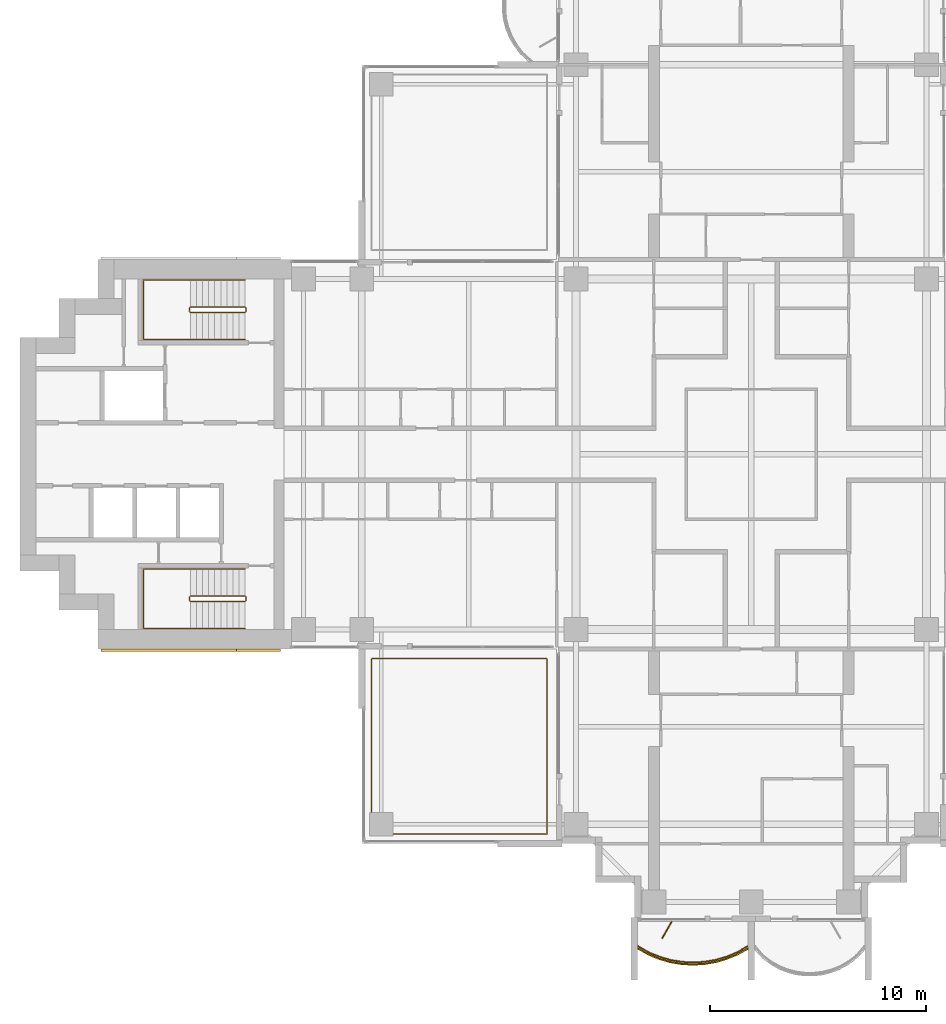
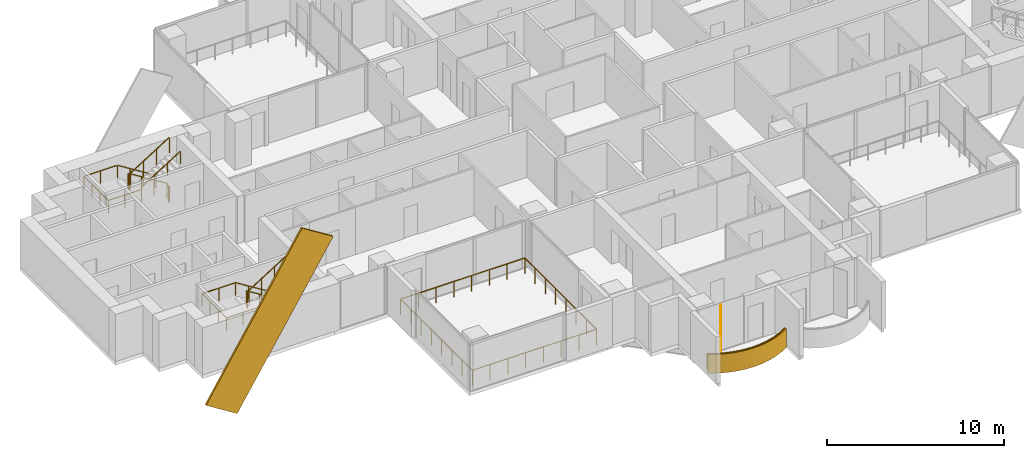
# One storey, part 16 of 19: 6 railings, 2 coverings, 1 shading device.
"""IFC4 building model written with IfcOpenShell, lengths in metres."""

import ifcopenshell
import ifcopenshell.guid

model = None  # the IFC model being written
_history = None  # IfcOwnerHistory: only IFC2X3 demands one
_inside = {}  # id of a spatial element -> (the spatial element, [elements in it])
_under = {}  # id of a project, library or spatial element -> (it, [spatial elements below it])
_declared = {}  # id of a project -> (the project, [libraries it declares])
_typed = {}  # id of a type object -> (the type object, [elements of that type])
_made_of = {}  # id of a material, layer set ... -> (it, [elements and type objects made of it])


def new_model(schema):
    """Start an empty IFC model of exactly this schema.

    Asked for "IFC4X3", IfcOpenShell would pick the latest addendum, in which some entities
    have other attributes; the version numbers below select the first issue.
    IFC2X3 requires an IfcOwnerHistory on every rooted entity: one is made here for all.
    """
    global model, _history
    if schema == "IFC4X3":
        model = ifcopenshell.file(schema_version=(4, 3, 0, 0))
    else:
        model = ifcopenshell.file(schema=schema)
    _inside.clear()
    _under.clear()
    _declared.clear()
    _typed.clear()
    _made_of.clear()
    _history = None
    if model.schema == "IFC2X3":
        org = make("IfcOrganization", Name="unknown")
        user = make(
            "IfcPersonAndOrganization",
            ThePerson=make("IfcPerson", FamilyName="unknown"),
            TheOrganization=org,
        )
        app = make(
            "IfcApplication",
            ApplicationDeveloper=org,
            Version="unknown",
            ApplicationFullName="unknown",
            ApplicationIdentifier="unknown",
        )
        _history = make(
            "IfcOwnerHistory",
            OwningUser=user,
            OwningApplication=app,
            ChangeAction="ADDED",
            CreationDate=0,
        )
    return model


def make(cls, **values):
    """One entity of the class cls with the attributes given. An attribute that is None is left unset."""
    return model.create_entity(
        cls, **{name: value for name, value in values.items() if value is not None}
    )


def rooted(cls, **values):
    """An entity with a GlobalId (a new one), such as an element, a storey or a relation."""
    return make(cls, GlobalId=ifcopenshell.guid.new(), OwnerHistory=_history, **values)


def si_unit(unit_type, name, prefix=None):
    """IfcSIUnit, for example si_unit("LENGTHUNIT", "METRE", prefix="MILLI")."""
    return make("IfcSIUnit", UnitType=unit_type, Prefix=prefix, Name=name)


def assignment(units):
    """IfcUnitAssignment: the units of a project."""
    return None if units is None else make("IfcUnitAssignment", Units=units)


def point(xyz):
    """IfcCartesianPoint."""
    return None if xyz is None else make("IfcCartesianPoint", Coordinates=xyz)


def direction(xyz):
    """IfcDirection."""
    return None if xyz is None else make("IfcDirection", DirectionRatios=xyz)


def frame(location, z_axis=None, x_axis=None):
    """IfcAxis2Placement3D, a coordinate frame: its origin and axes. An axis left out is left unset."""
    return make(
        "IfcAxis2Placement3D",
        Location=point(location),
        Axis=direction(z_axis),
        RefDirection=direction(x_axis),
    )


def frame_2d(location, x_axis=None):
    """IfcAxis2Placement2D, a coordinate frame in the plane: its origin and x axis."""
    return make(
        "IfcAxis2Placement2D", Location=point(location), RefDirection=direction(x_axis)
    )


def origin():
    """The frame at (0, 0, 0) with its axes left unset."""
    return frame((0.0, 0.0, 0.0))


def origin_2d():
    """The frame at (0, 0) in the plane with its x axis left unset."""
    return frame_2d((0.0, 0.0))


def place(relative_to, where):
    """IfcLocalPlacement: puts the frame where relative to a parent placement (None: the world)."""
    return make(
        "IfcLocalPlacement", PlacementRelTo=relative_to, RelativePlacement=where
    )


def context(
    kind, dimensions, precision=None, world=None, true_north=None, identifier=None
):
    """IfcGeometricRepresentationContext, for example the 3D "Model" context."""
    return make(
        "IfcGeometricRepresentationContext",
        ContextIdentifier=identifier,
        ContextType=kind,
        CoordinateSpaceDimension=dimensions,
        Precision=precision,
        WorldCoordinateSystem=world,
        TrueNorth=true_north,
    )


def subcontext(parent, identifier, kind, view, scale=None):
    """IfcGeometricRepresentationSubContext, for example "Body" below "Model"."""
    return make(
        "IfcGeometricRepresentationSubContext",
        ContextIdentifier=identifier,
        ContextType=kind,
        ParentContext=parent,
        TargetScale=scale,
        TargetView=view,
    )


def project(units=None, contexts=None):
    """IfcProject with its units and contexts."""
    return rooted(
        "IfcProject",
        Name="project",
        RepresentationContexts=contexts,
        UnitsInContext=assignment(units),
    )


def spatial(cls, under=None, at=None, **own):
    """A site, building, storey or space (cls), placed at a placement, below another one or the project."""
    s = rooted(cls, ObjectPlacement=at, **own)
    if under is not None:
        _under.setdefault(under.id(), (under, []))[1].append(s)
    return s


def polyline(points):
    """IfcPolyline through the points."""
    return make("IfcPolyline", Points=[point(p) for p in points])


def profile(cls, at=None, kind="AREA", **sizes):
    """A parametric profile (cls). Its sizes go by their IFC names, for example OverallWidth=200.0."""
    return make(cls, ProfileType=kind, Position=at, **sizes)


def rectangle(**sizes):
    """IfcRectangleProfileDef."""
    return profile("IfcRectangleProfileDef", **sizes)


def outline(outer, holes=None, kind="AREA"):
    """IfcArbitraryClosedProfileDef: a profile drawn as a closed curve; with holes, ...WithVoids."""
    if holes is None:
        return make("IfcArbitraryClosedProfileDef", ProfileType=kind, OuterCurve=outer)
    return make(
        "IfcArbitraryProfileDefWithVoids",
        ProfileType=kind,
        OuterCurve=outer,
        InnerCurves=holes,
    )


def extrude(swept, where, along, depth):
    """IfcExtrudedAreaSolid: the profile swept, set in the frame where, extruded along a direction by depth."""
    return make(
        "IfcExtrudedAreaSolid",
        SweptArea=swept,
        Position=where,
        ExtrudedDirection=direction(along),
        Depth=depth,
    )


def shape(context_of_items, identifier, shape_type, items):
    """IfcShapeRepresentation: the items that make up one representation, for example the "Body"."""
    return make(
        "IfcShapeRepresentation",
        ContextOfItems=context_of_items,
        RepresentationIdentifier=identifier,
        RepresentationType=shape_type,
        Items=items,
    )


def material(Name=None, Category=None):
    """IfcMaterial."""
    return make("IfcMaterial", Name=Name, Category=Category)


def layer(
    of_material, thickness, ventilated=None, Name=None, Category=None, Priority=None
):
    """IfcMaterialLayer: one layer of a wall or slab, of a material (None: an air gap)."""
    return make(
        "IfcMaterialLayer",
        Material=of_material,
        LayerThickness=thickness,
        IsVentilated=ventilated,
        Name=Name,
        Category=Category,
        Priority=Priority,
    )


def layer_set(layers, Name=None):
    """IfcMaterialLayerSet."""
    return make("IfcMaterialLayerSet", MaterialLayers=layers, LayerSetName=Name)


def material_profile(
    of_material, cross_section, Name=None, Category=None, Priority=None
):
    """IfcMaterialProfile: a cross section and its material."""
    return make(
        "IfcMaterialProfile",
        Name=Name,
        Material=of_material,
        Profile=cross_section,
        Priority=Priority,
        Category=Category,
    )


def profile_set(profiles, Name=None, composite=None):
    """IfcMaterialProfileSet."""
    return make(
        "IfcMaterialProfileSet",
        Name=Name,
        MaterialProfiles=profiles,
        CompositeProfile=composite,
    )


def made_of(thing, what):
    """Note that an element or type object is made of a material, layer set ...; save() writes the relation."""
    if what is not None:
        _made_of.setdefault(what.id(), (what, []))[1].append(thing)
    return thing


def type_object(cls, material=None, **own):
    """A type object (cls), such as IfcWallType, which elements share."""
    return made_of(rooted(cls, **own), material)


def element(
    cls,
    number,
    at=None,
    inside=None,
    cuts=None,
    type_object=None,
    material=None,
    context=None,
    identifier="Body",
    shape_type=None,
    held_by="IfcProductDefinitionShape",
    body=None,
    shapes=None,
    **own,
):
    """One element of the class cls, such as IfcWall. Its Tag is "e" and its number.

    at: its placement. inside: the storey or other place that contains it. cuts: it is an
    opening in that element (IfcRelVoidsElement). A single representation is given by context,
    identifier, shape_type and body (its items); several are given by shapes. held_by: the class
    of the entity that holds the representations. save() writes the other relations.
    """
    e = rooted(cls, Tag="e%d" % number, ObjectPlacement=at, **own)
    if body is not None:
        shapes = [shape(context, identifier, shape_type, body)]
    if shapes is not None:
        e.Representation = make(held_by, Representations=shapes)
    if inside is not None:
        _inside.setdefault(inside.id(), (inside, []))[1].append(e)
    if cuts is not None:
        rooted(
            "IfcRelVoidsElement", RelatingBuildingElement=cuts, RelatedOpeningElement=e
        )
    if type_object is not None:
        _typed.setdefault(type_object.id(), (type_object, []))[1].append(e)
    return made_of(e, material)


def aggregate(whole, parts):
    """IfcRelAggregates: a whole, such as a stair, and the parts it consists of."""
    return rooted("IfcRelAggregates", RelatingObject=whole, RelatedObjects=parts)


def save(model, path):
    """Write the relations noted so far, then the file.

    IfcRelAggregates (storeys below a building ...), IfcRelContainedInSpatialStructure (elements
    in a storey), IfcRelDefinesByType, IfcRelAssociatesMaterial and IfcRelDeclares: one each for
    every whole, place, type object, material and project.
    """
    for whole, parts in _under.values():
        aggregate(whole, parts)
    for where, things in _inside.values():
        rooted(
            "IfcRelContainedInSpatialStructure",
            RelatedElements=things,
            RelatingStructure=where,
        )
    for kind, things in _typed.values():
        rooted("IfcRelDefinesByType", RelatedObjects=things, RelatingType=kind)
    for what, things in _made_of.values():
        rooted("IfcRelAssociatesMaterial", RelatedObjects=things, RelatingMaterial=what)
    for by, libraries in _declared.values():
        rooted("IfcRelDeclares", RelatingContext=by, RelatedDefinitions=libraries)
    model.write(path)


model = new_model("IFC4")

# Units and contexts
model_context = context("Model", 3, precision=1e-05, world=origin(), true_north=direction((0.0, 1.0)))
body_context = subcontext(model_context, "Body", "Model", "MODEL_VIEW")
ifc_project = project(units=[si_unit("LENGTHUNIT", "METRE"), si_unit("AREAUNIT", "SQUARE_METRE"), si_unit("VOLUMEUNIT", "CUBIC_METRE"), si_unit("PLANEANGLEUNIT", "RADIAN"), si_unit("MASSUNIT", "GRAM", prefix="KILO")], contexts=[model_context])

# Site, building, storey
site_placement = place(None, origin())
site = spatial("IfcSite", under=ifc_project, at=site_placement, CompositionType="ELEMENT")
building_placement = place(site_placement, origin())
building = spatial("IfcBuilding", under=site, at=building_placement, Name="Perihelion Cross Residences", CompositionType="ELEMENT")
storey_placement = place(building_placement, frame((0.0, 0.0, 105.89990234375)))
storey = spatial("IfcBuildingStorey", under=building, at=storey_placement, Name="L24", CompositionType="ELEMENT", Elevation=105.89990234375)

# Covering
ifc_material_1 = material(Name="Bronze anodised aluminium", Category="aluminium")
ifc_layer_1 = layer(ifc_material_1, 0.070068359375)
ifc_layer_set_1 = layer_set([ifc_layer_1], Name="Balcony fascia 1300")
covering_type_1 = type_object("IfcCoveringType", Name="Balcony fascia 1300", PredefinedType="CLADDING", material=ifc_layer_set_1)
covering_1_placement = place(storey_placement, frame((0.0, 0.0, -0.199951171875)))
element("IfcCovering", 1, at=covering_1_placement, inside=storey, type_object=covering_type_1, Name="Fascia BF1 L24 south tip south bay 1", PredefinedType="CLADDING", context=body_context, shape_type="SweptSolid", body=[
    extrude(outline(polyline([(-4.7705078125, -23.1484375), (-4.2529296875, -23.36083984375), (-3.735107421875, -23.506591796875), (-3.217529296875, -23.591796875), (-2.699951171875, -23.6201171875), (-2.182373046875, -23.591796875), (-1.664794921875, -23.506591796875), (-1.147216796875, -23.36083984375), (-0.629638671875, -23.1484375), (-0.14990234375, -22.880126953125), (-0.14990234375, -22.800048828125), (-0.659912109375, -23.085205078125), (-1.169921875, -23.294677734375), (-1.679931640625, -23.438232421875), (-2.18994140625, -23.522216796875), (-2.699951171875, -23.550048828125), (-3.2099609375, -23.522216796875), (-3.719970703125, -23.438232421875), (-4.22998046875, -23.294677734375), (-4.739990234375, -23.085205078125), (-5.25, -22.800048828125), (-5.25, -22.880126953125), (-4.7705078125, -23.1484375)])), origin(), (0.0, 0.0, 1.0), 1.300048828125),
])

# Railings
ifc_material_2 = material(Name="Bronze anodised aluminium", Category="aluminium")
railing_type_1 = type_object("IfcRailingType", Name="Balcony guard 1100", PredefinedType="GUARDRAIL", material=ifc_material_2)
railing_1_placement = place(storey_placement, frame((-5.22509765625, -22.739990234375, 0.0)))
element("IfcRailing", 2, at=railing_1_placement, inside=storey, type_object=railing_type_1, Name="Guard GU1 L24 south tip south bay 1 balcony", PredefinedType="GUARDRAIL", context=body_context, shape_type="SweptSolid", body=[
    extrude(rectangle(XDim=0.048095703125, YDim=0.048095703125, at=origin_2d()), frame((0.0, 0.0, 1.076171875), z_axis=(0.861900760591, -0.507076995033, 0.0), x_axis=(0.507076995033, 0.861900760591, 0.0)), (0.0, 0.0, 1.0), 0.562744140625),
    extrude(rectangle(XDim=0.048095703125, YDim=0.048095703125, at=origin_2d()), frame((0.485107421875, -0.285400390625, 1.076171875), z_axis=(0.925172605972, -0.379546636342, 0.0), x_axis=(0.379546636342, 0.925172605972, 0.0)), (0.0, 0.0, 1.0), 0.55126953125),
    extrude(rectangle(XDim=0.048095703125, YDim=0.048095703125, at=origin_2d()), frame((0.9951171875, -0.49462890625, 1.076171875), z_axis=(0.962594623481, -0.270945734134, 0.0), x_axis=(0.270945734134, 0.962594623481, 0.0)), (0.0, 0.0, 1.0), 0.52978515625),
    extrude(rectangle(XDim=0.048095703125, YDim=0.048095703125, at=origin_2d()), frame((1.505126953125, -0.63818359375, 1.076171875), z_axis=(0.98663538303, -0.162943612803, 0.0), x_axis=(0.162943612803, 0.98663538303, 0.0)), (0.0, 0.0, 1.0), 0.516845703125),
    extrude(rectangle(XDim=0.048095703125, YDim=0.048095703125, at=origin_2d()), frame((2.01513671875, -0.722412109375, 1.076171875), z_axis=(0.998540183677, -0.05401390175, 0.0), x_axis=(0.05401390175, 0.998540183677, 0.0)), (0.0, 0.0, 1.0), 0.5107421875),
    extrude(rectangle(XDim=0.048095703125, YDim=0.048095703125, at=origin_2d()), frame((2.525146484375, -0.75, 1.076171875), z_axis=(0.998540183677, 0.05401390175, 0.0), x_axis=(-0.05401390175, 0.998540183677, 0.0)), (0.0, 0.0, 1.0), 0.5107421875),
    extrude(rectangle(XDim=0.048095703125, YDim=0.048095703125, at=origin_2d()), frame((3.03515625, -0.722412109375, 1.076171875), z_axis=(0.98663538303, 0.162943612803, 0.0), x_axis=(-0.162943612803, 0.98663538303, 0.0)), (0.0, 0.0, 1.0), 0.516845703125),
    extrude(rectangle(XDim=0.048095703125, YDim=0.048095703125, at=origin_2d()), frame((3.545166015625, -0.63818359375, 1.076171875), z_axis=(0.962594623481, 0.270945734134, 0.0), x_axis=(-0.270945734134, 0.962594623481, 0.0)), (0.0, 0.0, 1.0), 0.52978515625),
    extrude(rectangle(XDim=0.048095703125, YDim=0.048095703125, at=origin_2d()), frame((4.05517578125, -0.49462890625, 1.076171875), z_axis=(0.925172605972, 0.379546636342, 0.0), x_axis=(-0.379546636342, 0.925172605972, 0.0)), (0.0, 0.0, 1.0), 0.55126953125),
    extrude(rectangle(XDim=0.048095703125, YDim=0.048095703125, at=origin_2d()), frame((4.565185546875, -0.285400390625, 1.076171875), z_axis=(0.861789164031, 0.507266632806, 0.0), x_axis=(-0.507266632806, 0.861789164031, 0.0)), (0.0, 0.0, 1.0), 0.562744140625),
    extrude(rectangle(XDim=0.0419921875, YDim=0.0419921875, at=origin_2d()), origin(), (0.0, 0.0, 1.0), 1.052001953125),
    extrude(rectangle(XDim=0.0419921875, YDim=0.0419921875, at=origin_2d()), frame((0.485107421875, -0.285400390625, 0.0)), (0.0, 0.0, 1.0), 1.052001953125),
    extrude(rectangle(XDim=0.0419921875, YDim=0.0419921875, at=origin_2d()), frame((0.9951171875, -0.49462890625, 0.0)), (0.0, 0.0, 1.0), 1.052001953125),
    extrude(rectangle(XDim=0.0419921875, YDim=0.0419921875, at=origin_2d()), frame((1.505126953125, -0.63818359375, 0.0)), (0.0, 0.0, 1.0), 1.052001953125),
    extrude(rectangle(XDim=0.0419921875, YDim=0.0419921875, at=origin_2d()), frame((2.01513671875, -0.722412109375, 0.0)), (0.0, 0.0, 1.0), 1.052001953125),
    extrude(rectangle(XDim=0.0419921875, YDim=0.0419921875, at=origin_2d()), frame((2.525146484375, -0.75, 0.0)), (0.0, 0.0, 1.0), 1.052001953125),
    extrude(rectangle(XDim=0.0419921875, YDim=0.0419921875, at=origin_2d()), frame((3.03515625, -0.722412109375, 0.0)), (0.0, 0.0, 1.0), 1.052001953125),
    extrude(rectangle(XDim=0.0419921875, YDim=0.0419921875, at=origin_2d()), frame((3.545166015625, -0.63818359375, 0.0)), (0.0, 0.0, 1.0), 1.052001953125),
    extrude(rectangle(XDim=0.0419921875, YDim=0.0419921875, at=origin_2d()), frame((4.05517578125, -0.49462890625, 0.0)), (0.0, 0.0, 1.0), 1.052001953125),
    extrude(rectangle(XDim=0.0419921875, YDim=0.0419921875, at=origin_2d()), frame((4.565185546875, -0.285400390625, 0.0)), (0.0, 0.0, 1.0), 1.052001953125),
    extrude(rectangle(XDim=0.0419921875, YDim=0.0419921875, at=origin_2d()), frame((5.050048828125, 0.0, 0.0)), (0.0, 0.0, 1.0), 1.052001953125),
])
railing_2_placement = place(storey_placement, frame((-9.449951171875, -17.550048828125, 0.0)))
element("IfcRailing", 3, at=railing_2_placement, inside=storey, type_object=railing_type_1, Name="Guard GU1 L24 pocket south-west 1", PredefinedType="GUARDRAIL", context=body_context, shape_type="SweptSolid", body=[
    extrude(rectangle(XDim=0.048095703125, YDim=0.048095703125, at=origin_2d()), frame((0.0, 0.0, 1.076171875), z_axis=(-1.0, 0.0, 0.0), x_axis=(0.0, -1.0, 0.0)), (0.0, 0.0, 1.0), 8.10009765625),
    extrude(rectangle(XDim=0.048095703125, YDim=0.048095703125, at=origin_2d()), frame((-8.10009765625, 0.0, 1.076171875), z_axis=(0.0, 1.0, 0.0), x_axis=(-1.0, 0.0, 0.0)), (0.0, 0.0, 1.0), 8.10009765625),
    extrude(rectangle(XDim=0.048095703125, YDim=0.048095703125, at=origin_2d()), frame((-8.10009765625, 8.10009765625, 1.076171875), z_axis=(1.0, 0.0, 0.0), x_axis=(0.0, 1.0, 0.0)), (0.0, 0.0, 1.0), 8.10009765625),
    extrude(rectangle(XDim=0.048095703125, YDim=0.048095703125, at=origin_2d()), frame((0.0, 8.10009765625, 1.076171875), z_axis=(0.0, -1.0, 0.0), x_axis=(1.0, 0.0, 0.0)), (0.0, 0.0, 1.0), 8.10009765625),
    extrude(rectangle(XDim=0.0419921875, YDim=0.0419921875, at=origin_2d()), origin(), (0.0, 0.0, 1.0), 1.052001953125),
    extrude(rectangle(XDim=0.0419921875, YDim=0.0419921875, at=origin_2d()), frame((-1.1572265625, 0.0, 0.0)), (0.0, 0.0, 1.0), 1.052001953125),
    extrude(rectangle(XDim=0.0419921875, YDim=0.0419921875, at=origin_2d()), frame((-2.314208984375, 0.0, 0.0)), (0.0, 0.0, 1.0), 1.052001953125),
    extrude(rectangle(XDim=0.0419921875, YDim=0.0419921875, at=origin_2d()), frame((-3.471435546875, 0.0, 0.0)), (0.0, 0.0, 1.0), 1.052001953125),
    extrude(rectangle(XDim=0.0419921875, YDim=0.0419921875, at=origin_2d()), frame((-4.628662109375, 0.0, 0.0)), (0.0, 0.0, 1.0), 1.052001953125),
    extrude(rectangle(XDim=0.0419921875, YDim=0.0419921875, at=origin_2d()), frame((-5.785888671875, 0.0, 0.0)), (0.0, 0.0, 1.0), 1.052001953125),
    extrude(rectangle(XDim=0.0419921875, YDim=0.0419921875, at=origin_2d()), frame((-6.94287109375, 0.0, 0.0)), (0.0, 0.0, 1.0), 1.052001953125),
    extrude(rectangle(XDim=0.0419921875, YDim=0.0419921875, at=origin_2d()), frame((-8.10009765625, 0.0, 0.0)), (0.0, 0.0, 1.0), 1.052001953125),
    extrude(rectangle(XDim=0.0419921875, YDim=0.0419921875, at=origin_2d()), frame((-8.10009765625, 1.1572265625, 0.0)), (0.0, 0.0, 1.0), 1.052001953125),
    extrude(rectangle(XDim=0.0419921875, YDim=0.0419921875, at=origin_2d()), frame((-8.10009765625, 2.314208984375, 0.0)), (0.0, 0.0, 1.0), 1.052001953125),
    extrude(rectangle(XDim=0.0419921875, YDim=0.0419921875, at=origin_2d()), frame((-8.10009765625, 3.471435546875, 0.0)), (0.0, 0.0, 1.0), 1.052001953125),
    extrude(rectangle(XDim=0.0419921875, YDim=0.0419921875, at=origin_2d()), frame((-8.10009765625, 4.628662109375, 0.0)), (0.0, 0.0, 1.0), 1.052001953125),
    extrude(rectangle(XDim=0.0419921875, YDim=0.0419921875, at=origin_2d()), frame((-8.10009765625, 5.785888671875, 0.0)), (0.0, 0.0, 1.0), 1.052001953125),
    extrude(rectangle(XDim=0.0419921875, YDim=0.0419921875, at=origin_2d()), frame((-8.10009765625, 6.94287109375, 0.0)), (0.0, 0.0, 1.0), 1.052001953125),
    extrude(rectangle(XDim=0.0419921875, YDim=0.0419921875, at=origin_2d()), frame((-8.10009765625, 8.10009765625, 0.0)), (0.0, 0.0, 1.0), 1.052001953125),
    extrude(rectangle(XDim=0.0419921875, YDim=0.0419921875, at=origin_2d()), frame((-6.94287109375, 8.10009765625, 0.0)), (0.0, 0.0, 1.0), 1.052001953125),
    extrude(rectangle(XDim=0.0419921875, YDim=0.0419921875, at=origin_2d()), frame((-5.785888671875, 8.10009765625, 0.0)), (0.0, 0.0, 1.0), 1.052001953125),
    extrude(rectangle(XDim=0.0419921875, YDim=0.0419921875, at=origin_2d()), frame((-4.628662109375, 8.10009765625, 0.0)), (0.0, 0.0, 1.0), 1.052001953125),
    extrude(rectangle(XDim=0.0419921875, YDim=0.0419921875, at=origin_2d()), frame((-3.471435546875, 8.10009765625, 0.0)), (0.0, 0.0, 1.0), 1.052001953125),
    extrude(rectangle(XDim=0.0419921875, YDim=0.0419921875, at=origin_2d()), frame((-2.314208984375, 8.10009765625, 0.0)), (0.0, 0.0, 1.0), 1.052001953125),
    extrude(rectangle(XDim=0.0419921875, YDim=0.0419921875, at=origin_2d()), frame((-1.1572265625, 8.10009765625, 0.0)), (0.0, 0.0, 1.0), 1.052001953125),
    extrude(rectangle(XDim=0.0419921875, YDim=0.0419921875, at=origin_2d()), frame((0.0, 8.10009765625, 0.0)), (0.0, 0.0, 1.0), 1.052001953125),
    extrude(rectangle(XDim=0.0419921875, YDim=0.0419921875, at=origin_2d()), frame((0.0, 6.94287109375, 0.0)), (0.0, 0.0, 1.0), 1.052001953125),
    extrude(rectangle(XDim=0.0419921875, YDim=0.0419921875, at=origin_2d()), frame((0.0, 5.785888671875, 0.0)), (0.0, 0.0, 1.0), 1.052001953125),
    extrude(rectangle(XDim=0.0419921875, YDim=0.0419921875, at=origin_2d()), frame((0.0, 4.628662109375, 0.0)), (0.0, 0.0, 1.0), 1.052001953125),
    extrude(rectangle(XDim=0.0419921875, YDim=0.0419921875, at=origin_2d()), frame((0.0, 3.471435546875, 0.0)), (0.0, 0.0, 1.0), 1.052001953125),
    extrude(rectangle(XDim=0.0419921875, YDim=0.0419921875, at=origin_2d()), frame((0.0, 2.314208984375, 0.0)), (0.0, 0.0, 1.0), 1.052001953125),
    extrude(rectangle(XDim=0.0419921875, YDim=0.0419921875, at=origin_2d()), frame((0.0, 1.1572265625, 0.0)), (0.0, 0.0, 1.0), 1.052001953125),
])

# Covering
ifc_material_3 = material(Name="Bronze anodised aluminium", Category="aluminium")
ifc_material_profile = material_profile(ifc_material_3, rectangle(XDim=0.125, YDim=2.39990234375, at=origin_2d()), Name="Bronze cladding band 2400")
ifc_profile_set = profile_set([ifc_material_profile], Name="Bronze anodised aluminium")
covering_type_2 = type_object("IfcCoveringType", Name="Bronze cladding band 2400", PredefinedType="CLADDING", material=ifc_profile_set)
covering_2_placement = place(storey_placement, frame((-29.0322265625, -9.0625, -2.714111328125), z_axis=(0.529915403603, 0.0, 0.848050508534), x_axis=(0.0, 1.0, 0.0)))
element("IfcCovering", 4, at=covering_2_placement, inside=storey, type_object=covering_type_2, Name="Core cladding band, west core", PredefinedType="CLADDING", context=body_context, shape_type="SweptSolid", body=[
    extrude(rectangle(XDim=0.125, YDim=2.39990234375, at=origin_2d()), origin(), (0.0, 0.0, 1.0), 11.822021484375),
])

# Shading device
ifc_material_4 = material(Name="Bronze anodised aluminium", Category="aluminium")
ifc_layer_2 = layer(ifc_material_4, 0.050048828125)
ifc_layer_set_2 = layer_set([ifc_layer_2], Name="Bronze fin 900")
shading_device_type = type_object("IfcShadingDeviceType", Name="Bronze fin 900", PredefinedType="USERDEFINED", material=ifc_layer_set_2)
shading_device_placement = place(storey_placement, frame((-3.89990234375, -21.98974609375, 0.0), z_axis=(0.0, 0.0, 1.0), x_axis=(-0.5, -0.866025403784, 0.0)))
element("IfcShadingDevice", 5, at=shading_device_placement, inside=storey, type_object=shading_device_type, Name="Fin FN1 L24 south tip south bay 1", ObjectType="FIN", PredefinedType="USERDEFINED", context=body_context, shape_type="SweptSolid", body=[
    extrude(rectangle(XDim=0.89990234375, YDim=0.050048828125, at=origin_2d()), origin(), (0.0, 0.0, 1.0), 3.25),
])

# Railings
ifc_material_5 = material(Name="Stainless steel", Category="steel")
railing_type_2 = type_object("IfcRailingType", Name="Stair guard 1100", PredefinedType="GUARDRAIL", material=ifc_material_5)
railing_3_placement = place(storey_placement, frame((-23.35009765625, 6.60009765625, 0.0)))
element("IfcRailing", 6, at=railing_3_placement, inside=storey, type_object=railing_type_2, Name="L24 ST-W1 stair guard 1", PredefinedType="GUARDRAIL", context=body_context, shape_type="SweptSolid", body=[
    extrude(rectangle(XDim=0.048095703125, YDim=0.048095703125, at=origin_2d()), frame((0.0, 0.0, 1.076171875), z_axis=(0.0, 1.0, 0.0), x_axis=(-1.0, 0.0, 0.0)), (0.0, 0.0, 1.0), 0.14990234375),
    extrude(rectangle(XDim=0.048095703125, YDim=0.048095703125, at=origin_2d()), frame((0.0, 0.14990234375, 1.076171875), z_axis=(-0.263862480399, 0.265155923931, 0.927399011991), x_axis=(-0.708833529934, -0.705375805398, 0.0)), (0.0, 0.0, 1.0), 0.188720703125),
    extrude(rectangle(XDim=0.048095703125, YDim=0.048095703125, at=origin_2d()), frame((-0.0498046875, 0.199951171875, 1.2509765625), z_axis=(-0.848007534815, 0.0, 0.529984170421), x_axis=(0.0, -1.0, 0.0)), (0.0, 0.0, 1.0), 2.9716796875),
    extrude(rectangle(XDim=0.048095703125, YDim=0.048095703125, at=origin_2d()), frame((-2.56982421875, 0.199951171875, 2.826171875), z_axis=(-0.707106781187, -0.707106781187, 0.0), x_axis=(0.707106781187, -0.707106781187, 0.0)), (0.0, 0.0, 1.0), 0.07080078125),
    extrude(rectangle(XDim=0.048095703125, YDim=0.048095703125, at=origin_2d()), frame((-2.619873046875, 0.14990234375, 2.826171875), z_axis=(0.0, -1.0, 0.0), x_axis=(1.0, 0.0, 0.0)), (0.0, 0.0, 1.0), 0.14990234375),
    extrude(rectangle(XDim=0.048095703125, YDim=0.048095703125, at=origin_2d()), frame((-2.619873046875, 0.0, 2.826171875), z_axis=(0.265065253269, -0.265065253269, 0.927081885822), x_axis=(0.707106781187, 0.707106781187, 0.0)), (0.0, 0.0, 1.0), 0.188720703125),
    extrude(rectangle(XDim=0.048095703125, YDim=0.048095703125, at=origin_2d()), frame((-2.56982421875, -0.050048828125, 3.0009765625), z_axis=(0.848007534815, 0.0, 0.529984170421), x_axis=(0.0, 1.0, 0.0)), (0.0, 0.0, 1.0), 2.9716796875),
    extrude(rectangle(XDim=0.0419921875, YDim=0.0419921875, at=origin_2d()), origin(), (0.0, 0.0, 1.0), 1.052001953125),
    extrude(rectangle(XDim=0.0419921875, YDim=0.0419921875, at=origin_2d()), frame((0.0, 0.14990234375, 0.0)), (0.0, 0.0, 1.0), 1.052001953125),
    extrude(rectangle(XDim=0.0419921875, YDim=0.0419921875, at=origin_2d()), frame((-0.0498046875, 0.199951171875, 0.175048828125)), (0.0, 0.0, 1.0), 1.052001953125),
    extrude(rectangle(XDim=0.0419921875, YDim=0.0419921875, at=origin_2d()), frame((-0.889892578125, 0.199951171875, 0.699951171875)), (0.0, 0.0, 1.0), 1.052001953125),
    extrude(rectangle(XDim=0.0419921875, YDim=0.0419921875, at=origin_2d()), frame((-1.729736328125, 0.199951171875, 1.22509765625)), (0.0, 0.0, 1.0), 1.052001953125),
    extrude(rectangle(XDim=0.0419921875, YDim=0.0419921875, at=origin_2d()), frame((-2.56982421875, 0.199951171875, 1.75)), (0.0, 0.0, 1.0), 1.052001953125),
    extrude(rectangle(XDim=0.0419921875, YDim=0.0419921875, at=origin_2d()), frame((-2.619873046875, 0.14990234375, 1.75)), (0.0, 0.0, 1.0), 1.052001953125),
    extrude(rectangle(XDim=0.0419921875, YDim=0.0419921875, at=origin_2d()), frame((-2.619873046875, 0.0, 1.75)), (0.0, 0.0, 1.0), 1.052001953125),
    extrude(rectangle(XDim=0.0419921875, YDim=0.0419921875, at=origin_2d()), frame((-2.56982421875, -0.050048828125, 1.925048828125)), (0.0, 0.0, 1.0), 1.052001953125),
    extrude(rectangle(XDim=0.0419921875, YDim=0.0419921875, at=origin_2d()), frame((-1.729736328125, -0.050048828125, 2.449951171875)), (0.0, 0.0, 1.0), 1.052001953125),
    extrude(rectangle(XDim=0.0419921875, YDim=0.0419921875, at=origin_2d()), frame((-0.889892578125, -0.050048828125, 2.97509765625)), (0.0, 0.0, 1.0), 1.052001953125),
    extrude(rectangle(XDim=0.0419921875, YDim=0.0419921875, at=origin_2d()), frame((-0.0498046875, -0.050048828125, 3.5)), (0.0, 0.0, 1.0), 1.052001953125),
])
railing_4_placement = place(storey_placement, frame((-23.35009765625, -6.75, 0.0)))
element("IfcRailing", 7, at=railing_4_placement, inside=storey, type_object=railing_type_2, Name="L24 ST-W2 stair guard 1", PredefinedType="GUARDRAIL", context=body_context, shape_type="SweptSolid", body=[
    extrude(rectangle(XDim=0.048095703125, YDim=0.048095703125, at=origin_2d()), frame((0.0, 0.0, 1.076171875), z_axis=(0.0, 1.0, 0.0), x_axis=(-1.0, 0.0, 0.0)), (0.0, 0.0, 1.0), 0.14990234375),
    extrude(rectangle(XDim=0.048095703125, YDim=0.048095703125, at=origin_2d()), frame((0.0, 0.14990234375, 1.076171875), z_axis=(-0.263862480399, 0.265155923931, 0.927399011991), x_axis=(-0.708833529934, -0.705375805398, 0.0)), (0.0, 0.0, 1.0), 0.188720703125),
    extrude(rectangle(XDim=0.048095703125, YDim=0.048095703125, at=origin_2d()), frame((-0.0498046875, 0.199951171875, 1.2509765625), z_axis=(-0.848007534815, 0.0, 0.529984170421), x_axis=(0.0, -1.0, 0.0)), (0.0, 0.0, 1.0), 2.9716796875),
    extrude(rectangle(XDim=0.048095703125, YDim=0.048095703125, at=origin_2d()), frame((-2.56982421875, 0.199951171875, 2.826171875), z_axis=(-0.707106781187, -0.707106781187, 0.0), x_axis=(0.707106781187, -0.707106781187, 0.0)), (0.0, 0.0, 1.0), 0.07080078125),
    extrude(rectangle(XDim=0.048095703125, YDim=0.048095703125, at=origin_2d()), frame((-2.619873046875, 0.14990234375, 2.826171875), z_axis=(0.0, -1.0, 0.0), x_axis=(1.0, 0.0, 0.0)), (0.0, 0.0, 1.0), 0.14990234375),
    extrude(rectangle(XDim=0.048095703125, YDim=0.048095703125, at=origin_2d()), frame((-2.619873046875, 0.0, 2.826171875), z_axis=(0.265065253269, -0.265065253269, 0.927081885822), x_axis=(0.707106781187, 0.707106781187, 0.0)), (0.0, 0.0, 1.0), 0.188720703125),
    extrude(rectangle(XDim=0.048095703125, YDim=0.048095703125, at=origin_2d()), frame((-2.56982421875, -0.050048828125, 3.0009765625), z_axis=(0.848007534815, 0.0, 0.529984170421), x_axis=(0.0, 1.0, 0.0)), (0.0, 0.0, 1.0), 2.9716796875),
    extrude(rectangle(XDim=0.0419921875, YDim=0.0419921875, at=origin_2d()), origin(), (0.0, 0.0, 1.0), 1.052001953125),
    extrude(rectangle(XDim=0.0419921875, YDim=0.0419921875, at=origin_2d()), frame((0.0, 0.14990234375, 0.0)), (0.0, 0.0, 1.0), 1.052001953125),
    extrude(rectangle(XDim=0.0419921875, YDim=0.0419921875, at=origin_2d()), frame((-0.0498046875, 0.199951171875, 0.175048828125)), (0.0, 0.0, 1.0), 1.052001953125),
    extrude(rectangle(XDim=0.0419921875, YDim=0.0419921875, at=origin_2d()), frame((-0.889892578125, 0.199951171875, 0.699951171875)), (0.0, 0.0, 1.0), 1.052001953125),
    extrude(rectangle(XDim=0.0419921875, YDim=0.0419921875, at=origin_2d()), frame((-1.729736328125, 0.199951171875, 1.22509765625)), (0.0, 0.0, 1.0), 1.052001953125),
    extrude(rectangle(XDim=0.0419921875, YDim=0.0419921875, at=origin_2d()), frame((-2.56982421875, 0.199951171875, 1.75)), (0.0, 0.0, 1.0), 1.052001953125),
    extrude(rectangle(XDim=0.0419921875, YDim=0.0419921875, at=origin_2d()), frame((-2.619873046875, 0.14990234375, 1.75)), (0.0, 0.0, 1.0), 1.052001953125),
    extrude(rectangle(XDim=0.0419921875, YDim=0.0419921875, at=origin_2d()), frame((-2.619873046875, 0.0, 1.75)), (0.0, 0.0, 1.0), 1.052001953125),
    extrude(rectangle(XDim=0.0419921875, YDim=0.0419921875, at=origin_2d()), frame((-2.56982421875, -0.050048828125, 1.925048828125)), (0.0, 0.0, 1.0), 1.052001953125),
    extrude(rectangle(XDim=0.0419921875, YDim=0.0419921875, at=origin_2d()), frame((-1.729736328125, -0.050048828125, 2.449951171875)), (0.0, 0.0, 1.0), 1.052001953125),
    extrude(rectangle(XDim=0.0419921875, YDim=0.0419921875, at=origin_2d()), frame((-0.889892578125, -0.050048828125, 2.97509765625)), (0.0, 0.0, 1.0), 1.052001953125),
    extrude(rectangle(XDim=0.0419921875, YDim=0.0419921875, at=origin_2d()), frame((-0.0498046875, -0.050048828125, 3.5)), (0.0, 0.0, 1.0), 1.052001953125),
])
ifc_material_6 = material(Name="Stainless steel", Category="steel")
railing_type_3 = type_object("IfcRailingType", Name="Stair handrail 900", PredefinedType="HANDRAIL", material=ifc_material_6)
railing_5_placement = place(storey_placement, frame((-23.39990234375, 8.050048828125, 0.175048828125)))
element("IfcRailing", 8, at=railing_5_placement, inside=storey, type_object=railing_type_3, Name="L24 ST-W1 stair handrail 1", PredefinedType="HANDRAIL", context=body_context, shape_type="SweptSolid", body=[
    extrude(rectangle(XDim=0.048095703125, YDim=0.048095703125, at=origin_2d()), frame((0.0, 0.0, 0.8759765625), z_axis=(-0.848007534815, 0.0, 0.529984170421), x_axis=(0.0, -1.0, 0.0)), (0.0, 0.0, 1.0), 2.9716796875),
    extrude(rectangle(XDim=0.048095703125, YDim=0.048095703125, at=origin_2d()), frame((-2.52001953125, 0.0, 2.45068359375), z_axis=(-1.0, 0.0, 0.0), x_axis=(0.0, -1.0, 0.0)), (0.0, 0.0, 1.0), 2.18017578125),
    extrude(rectangle(XDim=0.048095703125, YDim=0.048095703125, at=origin_2d()), frame((-4.7001953125, 0.0, 2.45068359375), z_axis=(0.0, -1.0, 0.0), x_axis=(1.0, 0.0, 0.0)), (0.0, 0.0, 1.0), 2.75),
    extrude(rectangle(XDim=0.048095703125, YDim=0.048095703125, at=origin_2d()), frame((-4.7001953125, -2.75, 2.45068359375), z_axis=(1.0, 0.0, 0.0), x_axis=(0.0, 1.0, 0.0)), (0.0, 0.0, 1.0), 2.18017578125),
    extrude(rectangle(XDim=0.048095703125, YDim=0.048095703125, at=origin_2d()), frame((-2.52001953125, -2.75, 2.45068359375), z_axis=(0.0, 0.0, 1.0), x_axis=(1.0, 0.0, 0.0)), (0.0, 0.0, 1.0), 0.175048828125),
    extrude(rectangle(XDim=0.048095703125, YDim=0.048095703125, at=origin_2d()), frame((-2.52001953125, -2.75, 2.6259765625), z_axis=(0.848007534815, 0.0, 0.529984170421), x_axis=(0.0, 1.0, 0.0)), (0.0, 0.0, 1.0), 2.9716796875),
    extrude(rectangle(XDim=0.0419921875, YDim=0.0419921875, at=origin_2d()), origin(), (0.0, 0.0, 1.0), 0.851806640625),
    extrude(rectangle(XDim=0.0419921875, YDim=0.0419921875, at=origin_2d()), frame((-0.840087890625, 0.0, 0.52490234375)), (0.0, 0.0, 1.0), 0.851806640625),
    extrude(rectangle(XDim=0.0419921875, YDim=0.0419921875, at=origin_2d()), frame((-1.679931640625, 0.0, 1.050048828125)), (0.0, 0.0, 1.0), 0.851806640625),
    extrude(rectangle(XDim=0.0419921875, YDim=0.0419921875, at=origin_2d()), frame((-2.52001953125, 0.0, 1.574951171875)), (0.0, 0.0, 1.0), 0.851806640625),
    extrude(rectangle(XDim=0.0419921875, YDim=0.0419921875, at=origin_2d()), frame((-3.610107421875, 0.0, 1.574951171875)), (0.0, 0.0, 1.0), 0.851806640625),
    extrude(rectangle(XDim=0.0419921875, YDim=0.0419921875, at=origin_2d()), frame((-4.7001953125, 0.0, 1.574951171875)), (0.0, 0.0, 1.0), 0.851806640625),
    extrude(rectangle(XDim=0.0419921875, YDim=0.0419921875, at=origin_2d()), frame((-4.7001953125, -0.916748046875, 1.574951171875)), (0.0, 0.0, 1.0), 0.851806640625),
    extrude(rectangle(XDim=0.0419921875, YDim=0.0419921875, at=origin_2d()), frame((-4.7001953125, -1.833251953125, 1.574951171875)), (0.0, 0.0, 1.0), 0.851806640625),
    extrude(rectangle(XDim=0.0419921875, YDim=0.0419921875, at=origin_2d()), frame((-4.7001953125, -2.75, 1.574951171875)), (0.0, 0.0, 1.0), 0.851806640625),
    extrude(rectangle(XDim=0.0419921875, YDim=0.0419921875, at=origin_2d()), frame((-3.610107421875, -2.75, 1.574951171875)), (0.0, 0.0, 1.0), 0.851806640625),
    extrude(rectangle(XDim=0.0419921875, YDim=0.0419921875, at=origin_2d()), frame((-2.52001953125, -2.75, 1.574951171875)), (0.0, 0.0, 1.0), 0.851806640625),
    extrude(rectangle(XDim=0.0419921875, YDim=0.0419921875, at=origin_2d()), frame((-2.52001953125, -2.75, 1.75)), (0.0, 0.0, 1.0), 0.851806640625),
    extrude(rectangle(XDim=0.0419921875, YDim=0.0419921875, at=origin_2d()), frame((-1.679931640625, -2.75, 2.27490234375)), (0.0, 0.0, 1.0), 0.851806640625),
    extrude(rectangle(XDim=0.0419921875, YDim=0.0419921875, at=origin_2d()), frame((-0.840087890625, -2.75, 2.800048828125)), (0.0, 0.0, 1.0), 0.851806640625),
    extrude(rectangle(XDim=0.0419921875, YDim=0.0419921875, at=origin_2d()), frame((0.0, -2.75, 3.324951171875)), (0.0, 0.0, 1.0), 0.851806640625),
])
railing_6_placement = place(storey_placement, frame((-23.39990234375, -5.300048828125, 0.175048828125)))
element("IfcRailing", 9, at=railing_6_placement, inside=storey, type_object=railing_type_3, Name="L24 ST-W2 stair handrail 1", PredefinedType="HANDRAIL", context=body_context, shape_type="SweptSolid", body=[
    extrude(rectangle(XDim=0.048095703125, YDim=0.048095703125, at=origin_2d()), frame((0.0, 0.0, 0.8759765625), z_axis=(-0.848007534815, 0.0, 0.529984170421), x_axis=(0.0, -1.0, 0.0)), (0.0, 0.0, 1.0), 2.9716796875),
    extrude(rectangle(XDim=0.048095703125, YDim=0.048095703125, at=origin_2d()), frame((-2.52001953125, 0.0, 2.45068359375), z_axis=(-1.0, 0.0, 0.0), x_axis=(0.0, -1.0, 0.0)), (0.0, 0.0, 1.0), 2.18017578125),
    extrude(rectangle(XDim=0.048095703125, YDim=0.048095703125, at=origin_2d()), frame((-4.7001953125, 0.0, 2.45068359375), z_axis=(0.0, -1.0, 0.0), x_axis=(1.0, 0.0, 0.0)), (0.0, 0.0, 1.0), 2.75),
    extrude(rectangle(XDim=0.048095703125, YDim=0.048095703125, at=origin_2d()), frame((-4.7001953125, -2.75, 2.45068359375), z_axis=(1.0, 0.0, 0.0), x_axis=(0.0, 1.0, 0.0)), (0.0, 0.0, 1.0), 2.18017578125),
    extrude(rectangle(XDim=0.048095703125, YDim=0.048095703125, at=origin_2d()), frame((-2.52001953125, -2.75, 2.45068359375), z_axis=(0.0, 0.0, 1.0), x_axis=(1.0, 0.0, 0.0)), (0.0, 0.0, 1.0), 0.175048828125),
    extrude(rectangle(XDim=0.048095703125, YDim=0.048095703125, at=origin_2d()), frame((-2.52001953125, -2.75, 2.6259765625), z_axis=(0.848007534815, 0.0, 0.529984170421), x_axis=(0.0, 1.0, 0.0)), (0.0, 0.0, 1.0), 2.9716796875),
    extrude(rectangle(XDim=0.0419921875, YDim=0.0419921875, at=origin_2d()), origin(), (0.0, 0.0, 1.0), 0.851806640625),
    extrude(rectangle(XDim=0.0419921875, YDim=0.0419921875, at=origin_2d()), frame((-0.840087890625, 0.0, 0.52490234375)), (0.0, 0.0, 1.0), 0.851806640625),
    extrude(rectangle(XDim=0.0419921875, YDim=0.0419921875, at=origin_2d()), frame((-1.679931640625, 0.0, 1.050048828125)), (0.0, 0.0, 1.0), 0.851806640625),
    extrude(rectangle(XDim=0.0419921875, YDim=0.0419921875, at=origin_2d()), frame((-2.52001953125, 0.0, 1.574951171875)), (0.0, 0.0, 1.0), 0.851806640625),
    extrude(rectangle(XDim=0.0419921875, YDim=0.0419921875, at=origin_2d()), frame((-3.610107421875, 0.0, 1.574951171875)), (0.0, 0.0, 1.0), 0.851806640625),
    extrude(rectangle(XDim=0.0419921875, YDim=0.0419921875, at=origin_2d()), frame((-4.7001953125, 0.0, 1.574951171875)), (0.0, 0.0, 1.0), 0.851806640625),
    extrude(rectangle(XDim=0.0419921875, YDim=0.0419921875, at=origin_2d()), frame((-4.7001953125, -0.916748046875, 1.574951171875)), (0.0, 0.0, 1.0), 0.851806640625),
    extrude(rectangle(XDim=0.0419921875, YDim=0.0419921875, at=origin_2d()), frame((-4.7001953125, -1.833251953125, 1.574951171875)), (0.0, 0.0, 1.0), 0.851806640625),
    extrude(rectangle(XDim=0.0419921875, YDim=0.0419921875, at=origin_2d()), frame((-4.7001953125, -2.75, 1.574951171875)), (0.0, 0.0, 1.0), 0.851806640625),
    extrude(rectangle(XDim=0.0419921875, YDim=0.0419921875, at=origin_2d()), frame((-3.610107421875, -2.75, 1.574951171875)), (0.0, 0.0, 1.0), 0.851806640625),
    extrude(rectangle(XDim=0.0419921875, YDim=0.0419921875, at=origin_2d()), frame((-2.52001953125, -2.75, 1.574951171875)), (0.0, 0.0, 1.0), 0.851806640625),
    extrude(rectangle(XDim=0.0419921875, YDim=0.0419921875, at=origin_2d()), frame((-2.52001953125, -2.75, 1.75)), (0.0, 0.0, 1.0), 0.851806640625),
    extrude(rectangle(XDim=0.0419921875, YDim=0.0419921875, at=origin_2d()), frame((-1.679931640625, -2.75, 2.27490234375)), (0.0, 0.0, 1.0), 0.851806640625),
    extrude(rectangle(XDim=0.0419921875, YDim=0.0419921875, at=origin_2d()), frame((-0.840087890625, -2.75, 2.800048828125)), (0.0, 0.0, 1.0), 0.851806640625),
    extrude(rectangle(XDim=0.0419921875, YDim=0.0419921875, at=origin_2d()), frame((0.0, -2.75, 3.324951171875)), (0.0, 0.0, 1.0), 0.851806640625),
])

save(model, "model.ifc")
